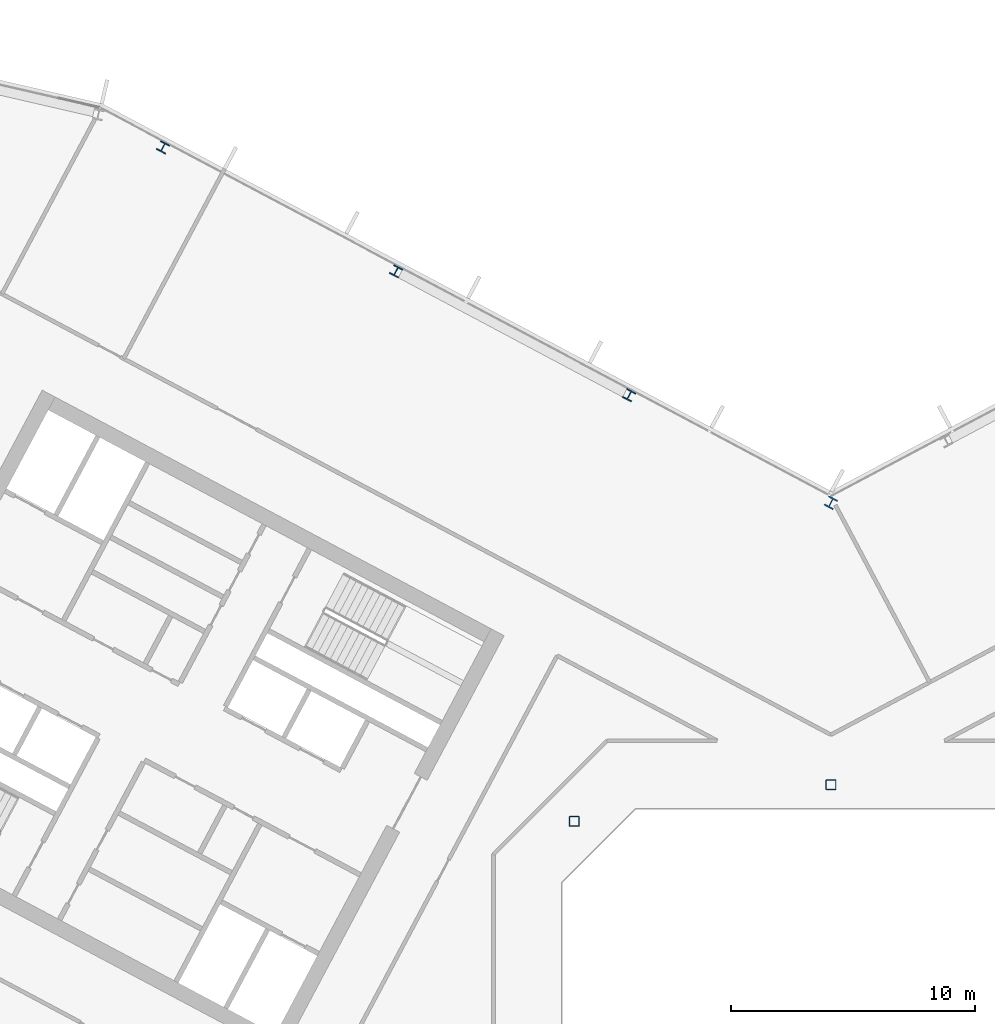
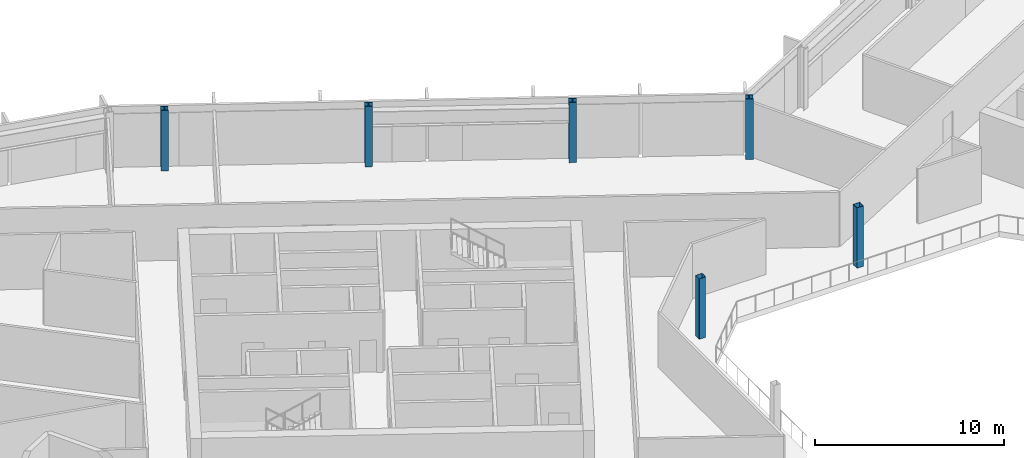
# One storey, part 4 of 26: 6 columns.
"""IFC4 building model written with IfcOpenShell, lengths in metres."""

import ifcopenshell
import ifcopenshell.guid

model = None  # the IFC model being written
_history = None  # IfcOwnerHistory: only IFC2X3 demands one
_inside = {}  # id of a spatial element -> (the spatial element, [elements in it])
_under = {}  # id of a project, library or spatial element -> (it, [spatial elements below it])
_declared = {}  # id of a project -> (the project, [libraries it declares])
_typed = {}  # id of a type object -> (the type object, [elements of that type])
_made_of = {}  # id of a material, layer set ... -> (it, [elements and type objects made of it])


def new_model(schema):
    """Start an empty IFC model of exactly this schema.

    Asked for "IFC4X3", IfcOpenShell would pick the latest addendum, in which some entities
    have other attributes; the version numbers below select the first issue.
    IFC2X3 requires an IfcOwnerHistory on every rooted entity: one is made here for all.
    """
    global model, _history
    if schema == "IFC4X3":
        model = ifcopenshell.file(schema_version=(4, 3, 0, 0))
    else:
        model = ifcopenshell.file(schema=schema)
    _inside.clear()
    _under.clear()
    _declared.clear()
    _typed.clear()
    _made_of.clear()
    _history = None
    if model.schema == "IFC2X3":
        org = make("IfcOrganization", Name="unknown")
        user = make(
            "IfcPersonAndOrganization",
            ThePerson=make("IfcPerson", FamilyName="unknown"),
            TheOrganization=org,
        )
        app = make(
            "IfcApplication",
            ApplicationDeveloper=org,
            Version="unknown",
            ApplicationFullName="unknown",
            ApplicationIdentifier="unknown",
        )
        _history = make(
            "IfcOwnerHistory",
            OwningUser=user,
            OwningApplication=app,
            ChangeAction="ADDED",
            CreationDate=0,
        )
    return model


def make(cls, **values):
    """One entity of the class cls with the attributes given. An attribute that is None is left unset."""
    return model.create_entity(
        cls, **{name: value for name, value in values.items() if value is not None}
    )


def rooted(cls, **values):
    """An entity with a GlobalId (a new one), such as an element, a storey or a relation."""
    return make(cls, GlobalId=ifcopenshell.guid.new(), OwnerHistory=_history, **values)


def si_unit(unit_type, name, prefix=None):
    """IfcSIUnit, for example si_unit("LENGTHUNIT", "METRE", prefix="MILLI")."""
    return make("IfcSIUnit", UnitType=unit_type, Prefix=prefix, Name=name)


def assignment(units):
    """IfcUnitAssignment: the units of a project."""
    return None if units is None else make("IfcUnitAssignment", Units=units)


def point(xyz):
    """IfcCartesianPoint."""
    return None if xyz is None else make("IfcCartesianPoint", Coordinates=xyz)


def direction(xyz):
    """IfcDirection."""
    return None if xyz is None else make("IfcDirection", DirectionRatios=xyz)


def frame(location, z_axis=None, x_axis=None):
    """IfcAxis2Placement3D, a coordinate frame: its origin and axes. An axis left out is left unset."""
    return make(
        "IfcAxis2Placement3D",
        Location=point(location),
        Axis=direction(z_axis),
        RefDirection=direction(x_axis),
    )


def frame_2d(location, x_axis=None):
    """IfcAxis2Placement2D, a coordinate frame in the plane: its origin and x axis."""
    return make(
        "IfcAxis2Placement2D", Location=point(location), RefDirection=direction(x_axis)
    )


def origin():
    """The frame at (0, 0, 0) with its axes left unset."""
    return frame((0.0, 0.0, 0.0))


def origin_2d():
    """The frame at (0, 0) in the plane with its x axis left unset."""
    return frame_2d((0.0, 0.0))


def place(relative_to, where):
    """IfcLocalPlacement: puts the frame where relative to a parent placement (None: the world)."""
    return make(
        "IfcLocalPlacement", PlacementRelTo=relative_to, RelativePlacement=where
    )


def context(
    kind, dimensions, precision=None, world=None, true_north=None, identifier=None
):
    """IfcGeometricRepresentationContext, for example the 3D "Model" context."""
    return make(
        "IfcGeometricRepresentationContext",
        ContextIdentifier=identifier,
        ContextType=kind,
        CoordinateSpaceDimension=dimensions,
        Precision=precision,
        WorldCoordinateSystem=world,
        TrueNorth=true_north,
    )


def subcontext(parent, identifier, kind, view, scale=None):
    """IfcGeometricRepresentationSubContext, for example "Body" below "Model"."""
    return make(
        "IfcGeometricRepresentationSubContext",
        ContextIdentifier=identifier,
        ContextType=kind,
        ParentContext=parent,
        TargetScale=scale,
        TargetView=view,
    )


def project(units=None, contexts=None):
    """IfcProject with its units and contexts."""
    return rooted(
        "IfcProject",
        Name="project",
        RepresentationContexts=contexts,
        UnitsInContext=assignment(units),
    )


def spatial(cls, under=None, at=None, **own):
    """A site, building, storey or space (cls), placed at a placement, below another one or the project."""
    s = rooted(cls, ObjectPlacement=at, **own)
    if under is not None:
        _under.setdefault(under.id(), (under, []))[1].append(s)
    return s


def profile(cls, at=None, kind="AREA", **sizes):
    """A parametric profile (cls). Its sizes go by their IFC names, for example OverallWidth=200.0."""
    return make(cls, ProfileType=kind, Position=at, **sizes)


def hollow_rectangle(**sizes):
    """IfcRectangleHollowProfileDef."""
    return profile("IfcRectangleHollowProfileDef", **sizes)


def i_section(**sizes):
    """IfcIShapeProfileDef."""
    return profile("IfcIShapeProfileDef", **sizes)


def extrude(swept, where, along, depth):
    """IfcExtrudedAreaSolid: the profile swept, set in the frame where, extruded along a direction by depth."""
    return make(
        "IfcExtrudedAreaSolid",
        SweptArea=swept,
        Position=where,
        ExtrudedDirection=direction(along),
        Depth=depth,
    )


def shape(context_of_items, identifier, shape_type, items):
    """IfcShapeRepresentation: the items that make up one representation, for example the "Body"."""
    return make(
        "IfcShapeRepresentation",
        ContextOfItems=context_of_items,
        RepresentationIdentifier=identifier,
        RepresentationType=shape_type,
        Items=items,
    )


def material(Name=None, Category=None):
    """IfcMaterial."""
    return make("IfcMaterial", Name=Name, Category=Category)


def material_profile(
    of_material, cross_section, Name=None, Category=None, Priority=None
):
    """IfcMaterialProfile: a cross section and its material."""
    return make(
        "IfcMaterialProfile",
        Name=Name,
        Material=of_material,
        Profile=cross_section,
        Priority=Priority,
        Category=Category,
    )


def profile_set(profiles, Name=None, composite=None):
    """IfcMaterialProfileSet."""
    return make(
        "IfcMaterialProfileSet",
        Name=Name,
        MaterialProfiles=profiles,
        CompositeProfile=composite,
    )


def made_of(thing, what):
    """Note that an element or type object is made of a material, layer set ...; save() writes the relation."""
    if what is not None:
        _made_of.setdefault(what.id(), (what, []))[1].append(thing)
    return thing


def type_object(cls, material=None, **own):
    """A type object (cls), such as IfcWallType, which elements share."""
    return made_of(rooted(cls, **own), material)


def element(
    cls,
    number,
    at=None,
    inside=None,
    cuts=None,
    type_object=None,
    material=None,
    context=None,
    identifier="Body",
    shape_type=None,
    held_by="IfcProductDefinitionShape",
    body=None,
    shapes=None,
    **own,
):
    """One element of the class cls, such as IfcWall. Its Tag is "e" and its number.

    at: its placement. inside: the storey or other place that contains it. cuts: it is an
    opening in that element (IfcRelVoidsElement). A single representation is given by context,
    identifier, shape_type and body (its items); several are given by shapes. held_by: the class
    of the entity that holds the representations. save() writes the other relations.
    """
    e = rooted(cls, Tag="e%d" % number, ObjectPlacement=at, **own)
    if body is not None:
        shapes = [shape(context, identifier, shape_type, body)]
    if shapes is not None:
        e.Representation = make(held_by, Representations=shapes)
    if inside is not None:
        _inside.setdefault(inside.id(), (inside, []))[1].append(e)
    if cuts is not None:
        rooted(
            "IfcRelVoidsElement", RelatingBuildingElement=cuts, RelatedOpeningElement=e
        )
    if type_object is not None:
        _typed.setdefault(type_object.id(), (type_object, []))[1].append(e)
    return made_of(e, material)


def aggregate(whole, parts):
    """IfcRelAggregates: a whole, such as a stair, and the parts it consists of."""
    return rooted("IfcRelAggregates", RelatingObject=whole, RelatedObjects=parts)


def save(model, path):
    """Write the relations noted so far, then the file.

    IfcRelAggregates (storeys below a building ...), IfcRelContainedInSpatialStructure (elements
    in a storey), IfcRelDefinesByType, IfcRelAssociatesMaterial and IfcRelDeclares: one each for
    every whole, place, type object, material and project.
    """
    for whole, parts in _under.values():
        aggregate(whole, parts)
    for where, things in _inside.values():
        rooted(
            "IfcRelContainedInSpatialStructure",
            RelatedElements=things,
            RelatingStructure=where,
        )
    for kind, things in _typed.values():
        rooted("IfcRelDefinesByType", RelatedObjects=things, RelatingType=kind)
    for what, things in _made_of.values():
        rooted("IfcRelAssociatesMaterial", RelatedObjects=things, RelatingMaterial=what)
    for by, libraries in _declared.values():
        rooted("IfcRelDeclares", RelatingContext=by, RelatedDefinitions=libraries)
    model.write(path)


model = new_model("IFC4")

# Units and contexts
model_context = context("Model", 3, precision=1e-05, world=origin(), true_north=direction((0.0, 1.0)))
body_context = subcontext(model_context, "Body", "Model", "MODEL_VIEW")
ifc_project = project(units=[si_unit("LENGTHUNIT", "METRE"), si_unit("AREAUNIT", "SQUARE_METRE"), si_unit("VOLUMEUNIT", "CUBIC_METRE"), si_unit("PLANEANGLEUNIT", "RADIAN"), si_unit("MASSUNIT", "GRAM", prefix="KILO")], contexts=[model_context])

# Site, building, storey
site_placement = place(None, origin())
site = spatial("IfcSite", under=ifc_project, at=site_placement, CompositionType="ELEMENT")
building_placement = place(site_placement, origin())
building = spatial("IfcBuilding", under=site, at=building_placement, Name="Cormorant Relay Tower", CompositionType="ELEMENT")
storey_placement = place(building_placement, frame((0.0, 0.0, 193.5)))
storey = spatial("IfcBuildingStorey", under=building, at=storey_placement, Name="L41", CompositionType="ELEMENT", Elevation=193.5)

# Columns
ifc_material_1 = material(Name="Steel ASTM A500 Grade C (Fy 345 MPa)", Category="steel")
ifc_material_profile_1 = material_profile(ifc_material_1, hollow_rectangle(XDim=0.406494140625, YDim=0.406494140625, WallThickness=0.0146484375, InnerFilletRadius=0.00732421875, OuterFilletRadius=0.022216796875, at=origin_2d()), Name="HSS406x406x15")
ifc_profile_set_1 = profile_set([ifc_material_profile_1], Name="Steel ASTM A500 Grade C (Fy 345 MPa)")
column_type_1 = type_object("IfcColumnType", Name="Column HSS406x406x15", PredefinedType="COLUMN", material=ifc_profile_set_1)
for number, where, z_axis, x_axis, name in (
    (1, (-10.5, 10.5, 0.0), (0.0, 0.0, 1.0), (1.0, 0.0, 0.0), "Column L41-023"),
    (2, (0.0, 12.0, 0.0), (0.0, 0.0, 1.0), (1.0, 0.0, 0.0), "Column L41-025"),
):
    element("IfcColumn", number, at=place(storey_placement, frame(where, z_axis=z_axis, x_axis=x_axis)), inside=storey, type_object=column_type_1, Name=name, PredefinedType="COLUMN", context=body_context, shape_type="SweptSolid", body=[
        extrude(hollow_rectangle(XDim=0.406494140625, YDim=0.406494140625, WallThickness=0.0146484375, InnerFilletRadius=0.00732421875, OuterFilletRadius=0.022216796875, at=origin_2d()), origin(), (0.0, 0.0, 1.0), 3.89990234375),
    ])
ifc_material_2 = material(Name="Steel ASTM A992 (Fy 345 MPa)", Category="steel")
ifc_material_profile_2 = material_profile(ifc_material_2, i_section(OverallWidth=0.40380859375, OverallDepth=0.406494140625, WebThickness=0.027099609375, FlangeThickness=0.043701171875, FilletRadius=0.01513671875, at=origin_2d()), Name="W360x347")
ifc_profile_set_2 = profile_set([ifc_material_profile_2], Name="Steel ASTM A992 (Fy 345 MPa)")
column_type_2 = type_object("IfcColumnType", Name="Column W360x347", PredefinedType="COLUMN", material=ifc_profile_set_2)
for number, where, z_axis, x_axis, name in (
    (3, (-8.251953125, 27.93408203125, 0.0), (0.0, 0.0, 1.0), (-0.882947592859, 0.469471562786, 0.0), "Column L41-033"),
    (4, (-17.7880859375, 33.00390625, 0.0), (0.0, 0.0, 1.0), (-0.882947592859, 0.469471562786, 0.0), "Column L41-037"),
    (5, (-27.322998046875, 38.073974609375, 0.0), (0.0, 0.0, 1.0), (-0.882947592859, 0.469471562786, 0.0), "Column L41-040"),
):
    element("IfcColumn", number, at=place(storey_placement, frame(where, z_axis=z_axis, x_axis=x_axis)), inside=storey, type_object=column_type_2, Name=name, PredefinedType="COLUMN", context=body_context, shape_type="SweptSolid", body=[
        extrude(i_section(OverallWidth=0.40380859375, OverallDepth=0.406494140625, WebThickness=0.027099609375, FlangeThickness=0.043701171875, FilletRadius=0.01513671875, at=origin_2d()), origin(), (0.0, 0.0, 1.0), 3.89990234375),
    ])
ifc_material_3 = material(Name="Steel ASTM A992 (Fy 345 MPa)", Category="steel")
ifc_material_profile_3 = material_profile(ifc_material_3, i_section(OverallWidth=0.41162109375, OverallDepth=0.434326171875, WebThickness=0.035888671875, FlangeThickness=0.057373046875, FilletRadius=0.01513671875, at=origin_2d()), Name="W360x463")
ifc_profile_set_3 = profile_set([ifc_material_profile_3], Name="Steel ASTM A992 (Fy 345 MPa)")
column_type_3 = type_object("IfcColumnType", Name="Column W360x463", PredefinedType="COLUMN", material=ifc_profile_set_3)
column_placement = place(storey_placement, frame((0.0, 23.533935546875, 0.0), z_axis=(0.0, 0.0, 1.0), x_axis=(-0.882947592859, 0.469471562786, 0.0)))
element("IfcColumn", 6, at=column_placement, inside=storey, type_object=column_type_3, Name="Column L41-030", PredefinedType="COLUMN", context=body_context, shape_type="SweptSolid", body=[
    extrude(i_section(OverallWidth=0.41162109375, OverallDepth=0.434326171875, WebThickness=0.035888671875, FlangeThickness=0.057373046875, FilletRadius=0.01513671875, at=origin_2d()), origin(), (0.0, 0.0, 1.0), 3.89990234375),
])

save(model, "model.ifc")
